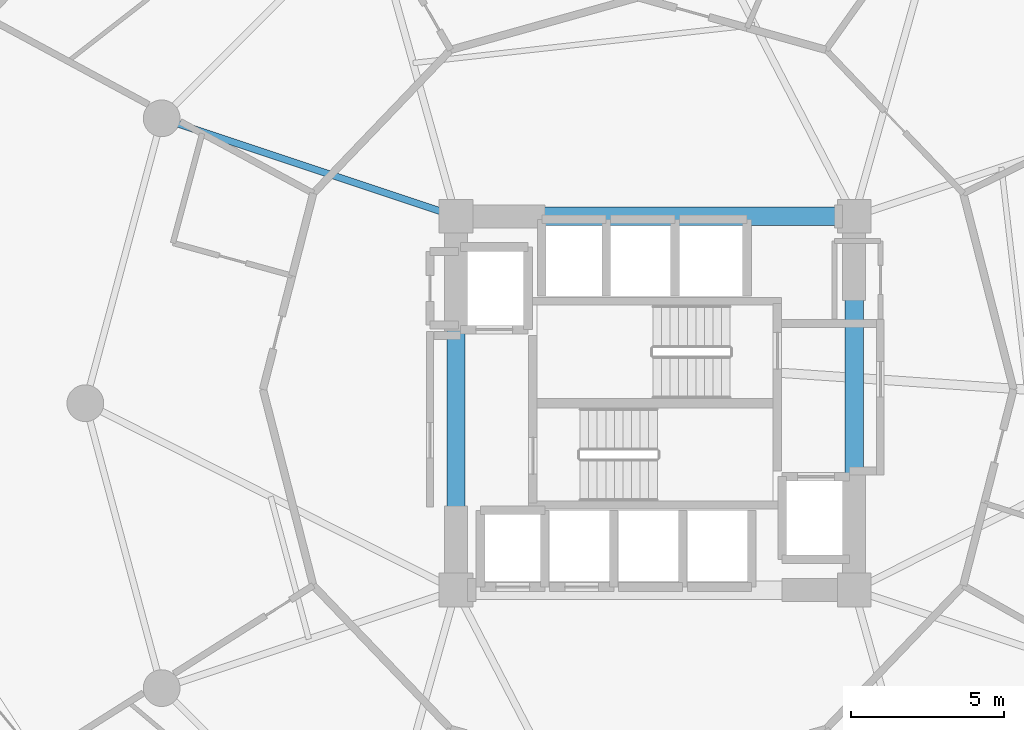
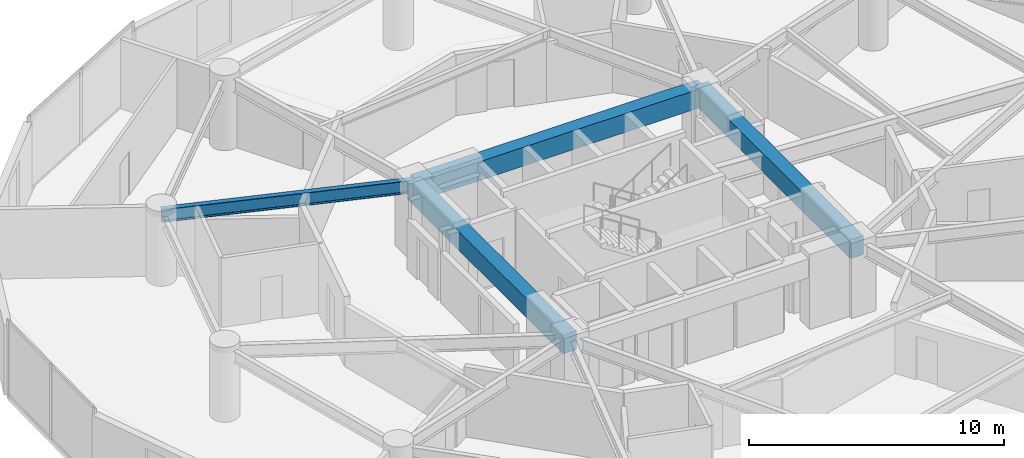
# One storey, part 7 of 20: 4 beams.
"""IFC4 building model written with IfcOpenShell, lengths in metres."""

from ifc_helpers import new_model, si_unit, direction, frame, origin, origin_2d, place, context, subcontext, project, spatial, rectangle, i_section, extrude, material, material_profile, profile_set, type_object, element, save


model = new_model("IFC4")

# Units and contexts
model_context = context("Model", 3, precision=1e-05, world=origin(), true_north=direction((0.0, 1.0)))
body_context = subcontext(model_context, "Body", "Model", "MODEL_VIEW")
ifc_project = project(units=[si_unit("LENGTHUNIT", "METRE"), si_unit("AREAUNIT", "SQUARE_METRE"), si_unit("VOLUMEUNIT", "CUBIC_METRE"), si_unit("PLANEANGLEUNIT", "RADIAN"), si_unit("MASSUNIT", "GRAM", prefix="KILO")], contexts=[model_context])

# Site, building, storey
site_placement = place(None, origin())
site = spatial("IfcSite", under=ifc_project, at=site_placement, CompositionType="ELEMENT")
building_placement = place(site_placement, origin())
building = spatial("IfcBuilding", under=site, at=building_placement, Name="Solvirekh Grand Hotel", CompositionType="ELEMENT")
storey_placement = place(building_placement, frame((0.0, 0.0, 50.0)))
storey = spatial("IfcBuildingStorey", under=building, at=storey_placement, Name="L11", CompositionType="ELEMENT", Elevation=50.0)

# Beams
ifc_material_1 = material(Name="Concrete C50/60", Category="concrete")
ifc_material_profile_1 = material_profile(ifc_material_1, rectangle(XDim=0.60009765625, YDim=0.89990234375, at=origin_2d()), Name="RC BEAM 600X900")
ifc_profile_set_1 = profile_set([ifc_material_profile_1], Name="Concrete C50/60")
beam_type_1 = type_object("IfcBeamType", Name="Beam_Core_RC900", PredefinedType="BEAM", material=ifc_profile_set_1)
beam_1_placement = place(storey_placement, frame((6.5, -6.10009765625, 2.889892578125), z_axis=(0.0, 1.0, 0.0), x_axis=(-1.0, 0.0, 0.0)))
element("IfcBeam", 1, at=beam_1_placement, inside=storey, type_object=beam_type_1, Name="L11 core coupling ring beam 2", PredefinedType="BEAM", context=body_context, shape_type="SweptSolid", body=[
    extrude(rectangle(XDim=0.60009765625, YDim=0.89990234375, at=origin_2d()), origin(), (0.0, 0.0, 1.0), 12.2001953125),
])
beam_2_placement = place(storey_placement, frame((6.5, 6.10009765625, 2.889892578125), z_axis=(-1.0, 0.0, 0.0), x_axis=(0.0, -1.0, 0.0)))
element("IfcBeam", 2, at=beam_2_placement, inside=storey, type_object=beam_type_1, Name="L11 core coupling ring beam 3", PredefinedType="BEAM", context=body_context, shape_type="SweptSolid", body=[
    extrude(rectangle(XDim=0.60009765625, YDim=0.89990234375, at=origin_2d()), origin(), (0.0, 0.0, 1.0), 13.0),
])
beam_3_placement = place(storey_placement, frame((-6.5, 6.10009765625, 2.889892578125), z_axis=(0.0, -1.0, 0.0), x_axis=(1.0, 0.0, 0.0)))
element("IfcBeam", 3, at=beam_3_placement, inside=storey, type_object=beam_type_1, Name="L11 core coupling ring beam 4", PredefinedType="BEAM", context=body_context, shape_type="SweptSolid", body=[
    extrude(rectangle(XDim=0.60009765625, YDim=0.89990234375, at=origin_2d()), origin(), (0.0, 0.0, 1.0), 12.2001953125),
])
ifc_material_2 = material(Name="Steel S355", Category="steel")
ifc_material_profile_2 = material_profile(ifc_material_2, i_section(OverallWidth=0.22802734375, OverallDepth=0.616943359375, WebThickness=0.012939453125, FlangeThickness=0.02001953125, FilletRadius=0.014892578125, at=origin_2d()), Name="W610X140")
ifc_profile_set_2 = profile_set([ifc_material_profile_2], Name="Steel S355")
beam_type_2 = type_object("IfcBeamType", Name="Beam_Radial_W610", PredefinedType="BEAM", material=ifc_profile_set_2)
beam_4_placement = place(storey_placement, frame((-6.5, 6.10009765625, 3.031982421875), z_axis=(-0.948762825819, 0.315989082635, 0.0), x_axis=(-0.315989082635, -0.948762825819, 0.0)))
element("IfcBeam", 4, at=beam_4_placement, inside=storey, type_object=beam_type_2, Name="L11 radial floor beam R06", PredefinedType="BEAM", context=body_context, shape_type="SweptSolid", body=[
    extrude(i_section(OverallWidth=0.22802734375, OverallDepth=0.616943359375, WebThickness=0.012939453125, FlangeThickness=0.02001953125, FilletRadius=0.014892578125, at=origin_2d()), origin(), (0.0, 0.0, 1.0), 10.126708984375),
])

save(model, "model.ifc")
